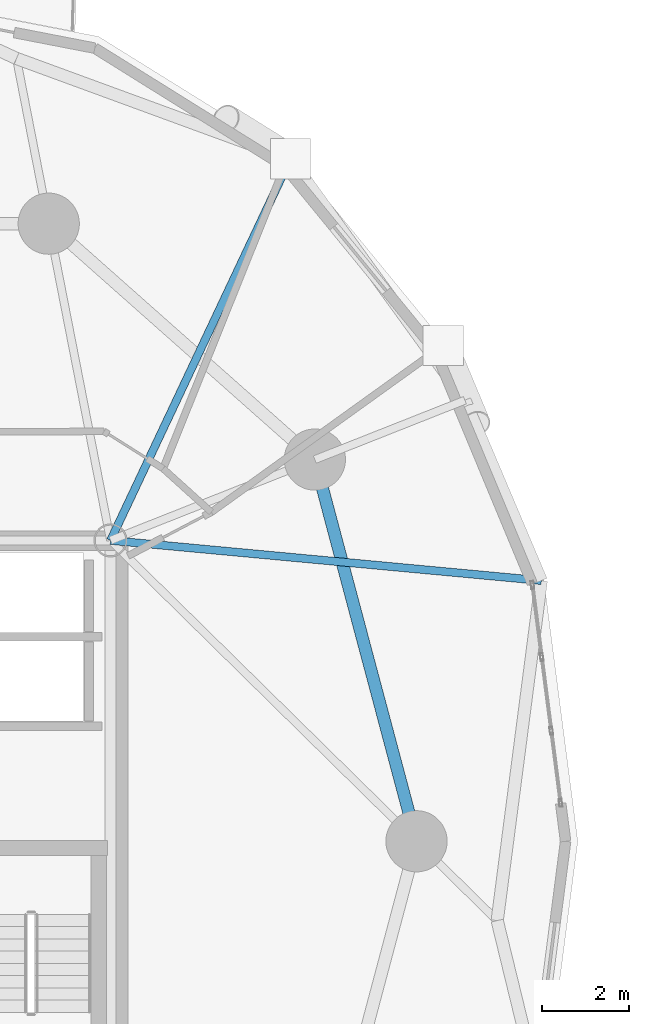
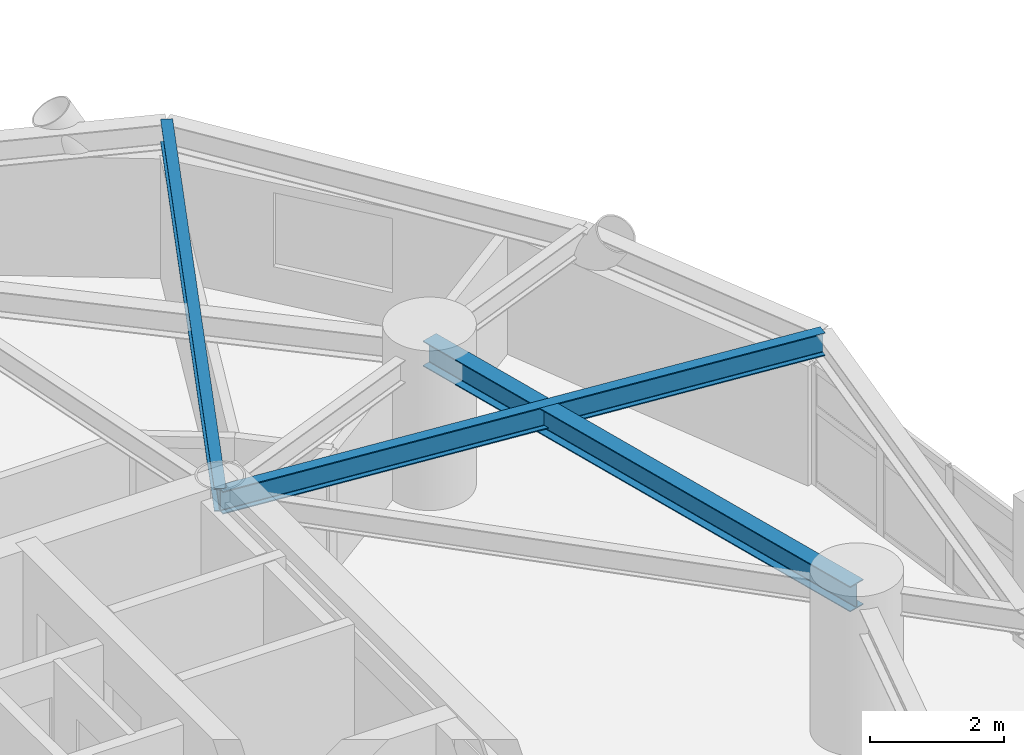
# One storey, part 3 of 18: 3 beams.
"""IFC4 building model written with IfcOpenShell, lengths in metres."""

from ifc_helpers import new_model, si_unit, direction, frame, origin, origin_2d, place, context, subcontext, project, spatial, i_section, extrude, material, material_profile, profile_set, type_object, element, save


model = new_model("IFC4")

# Units and contexts
model_context = context("Model", 3, precision=1e-05, world=origin(), true_north=direction((0.0, 1.0)))
body_context = subcontext(model_context, "Body", "Model", "MODEL_VIEW")
ifc_project = project(units=[si_unit("LENGTHUNIT", "METRE"), si_unit("AREAUNIT", "SQUARE_METRE"), si_unit("VOLUMEUNIT", "CUBIC_METRE"), si_unit("PLANEANGLEUNIT", "RADIAN"), si_unit("MASSUNIT", "GRAM", prefix="KILO")], contexts=[model_context])

# Site, building, storey
site_placement = place(None, origin())
site = spatial("IfcSite", under=ifc_project, at=site_placement, CompositionType="ELEMENT")
building_placement = place(site_placement, origin())
building = spatial("IfcBuilding", under=site, at=building_placement, Name="Cununo Teusaquillo Station Towers", CompositionType="ELEMENT")
storey_placement = place(building_placement, frame((0.0, 0.0, 119.6201171875)))
storey = spatial("IfcBuildingStorey", under=building, at=storey_placement, Name="L38", CompositionType="ELEMENT", Elevation=119.6201171875)

# Beams
ifc_material_1 = material(Name="Steel ASTM A572 Grade 50", Category="steel")
ifc_material_profile_1 = material_profile(ifc_material_1, i_section(OverallWidth=0.180908203125, OverallDepth=0.4169921875, WebThickness=0.010986328125, FlangeThickness=0.018310546875, FilletRadius=0.012939453125, at=origin_2d()), Name="W16X57")
ifc_profile_set_1 = profile_set([ifc_material_profile_1], Name="Steel ASTM A572 Grade 50")
beam_type_1 = type_object("IfcBeamType", Name="BM-JOIST-1", PredefinedType="JOIST", material=ifc_profile_set_1)
beam_1_placement = place(storey_placement, frame((21.675048828125, 31.3798828125, 2.46142578125), z_axis=(0.995678537907, -0.09286683558, 0.0), x_axis=(0.09286683558, 0.995678537907, 0.0)))
element("IfcBeam", 1, at=beam_1_placement, inside=storey, type_object=beam_type_1, Name="L38 Tower A Radial Spandrel Joist V01", PredefinedType="JOIST", context=body_context, shape_type="SweptSolid", body=[
    extrude(i_section(OverallWidth=0.180908203125, OverallDepth=0.4169921875, WebThickness=0.010986328125, FlangeThickness=0.018310546875, FilletRadius=0.012939453125, at=origin_2d()), origin(), (0.0, 0.0, 1.0), 9.895263671875),
])
beam_2_placement = place(storey_placement, frame((21.675048828125, 31.3798828125, 2.46142578125), z_axis=(0.426319838016, 0.904572493344, 0.0), x_axis=(-0.904572493344, 0.426319838016, 0.0)))
element("IfcBeam", 2, at=beam_2_placement, inside=storey, type_object=beam_type_1, Name="L38 Tower A Radial Spandrel Joist V03", PredefinedType="JOIST", context=body_context, shape_type="SweptSolid", body=[
    extrude(i_section(OverallWidth=0.180908203125, OverallDepth=0.4169921875, WebThickness=0.010986328125, FlangeThickness=0.018310546875, FilletRadius=0.012939453125, at=origin_2d()), origin(), (0.0, 0.0, 1.0), 9.646728515625),
])
ifc_material_2 = material(Name="Steel ASTM A572 Grade 50", Category="steel")
ifc_material_profile_2 = material_profile(ifc_material_2, i_section(OverallWidth=0.280029296875, OverallDepth=0.462890625, WebThickness=0.0107421875, FlangeThickness=0.017333984375, FilletRadius=0.013916015625, at=origin_2d()), Name="W18X76")
ifc_profile_set_2 = profile_set([ifc_material_profile_2], Name="Steel ASTM A572 Grade 50")
beam_type_2 = type_object("IfcBeamType", Name="BM-RING-Z2", PredefinedType="SPANDREL", material=ifc_profile_set_2)
beam_3_placement = place(storey_placement, frame((28.672119140625, 24.5, 2.4384765625), z_axis=(-0.257363196347, 0.966314744359, 0.0), x_axis=(-0.966314744359, -0.257363196347, 0.0)))
element("IfcBeam", 3, at=beam_3_placement, inside=storey, type_object=beam_type_2, Name="L38 Tower A Structural Column Ring Girder 01", PredefinedType="SPANDREL", context=body_context, shape_type="SweptSolid", body=[
    extrude(i_section(OverallWidth=0.280029296875, OverallDepth=0.462890625, WebThickness=0.0107421875, FlangeThickness=0.017333984375, FilletRadius=0.013916015625, at=origin_2d()), origin(), (0.0, 0.0, 1.0), 9.03271484375),
])

save(model, "model.ifc")
